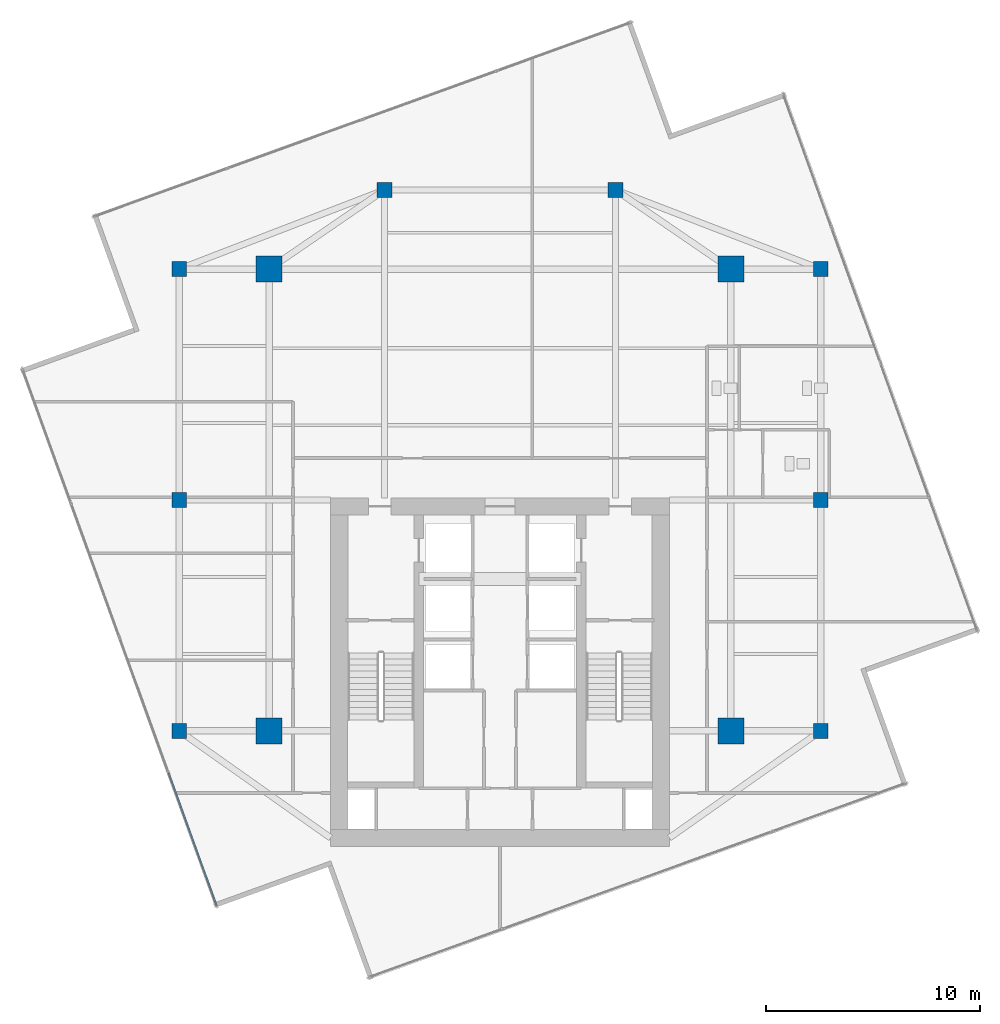
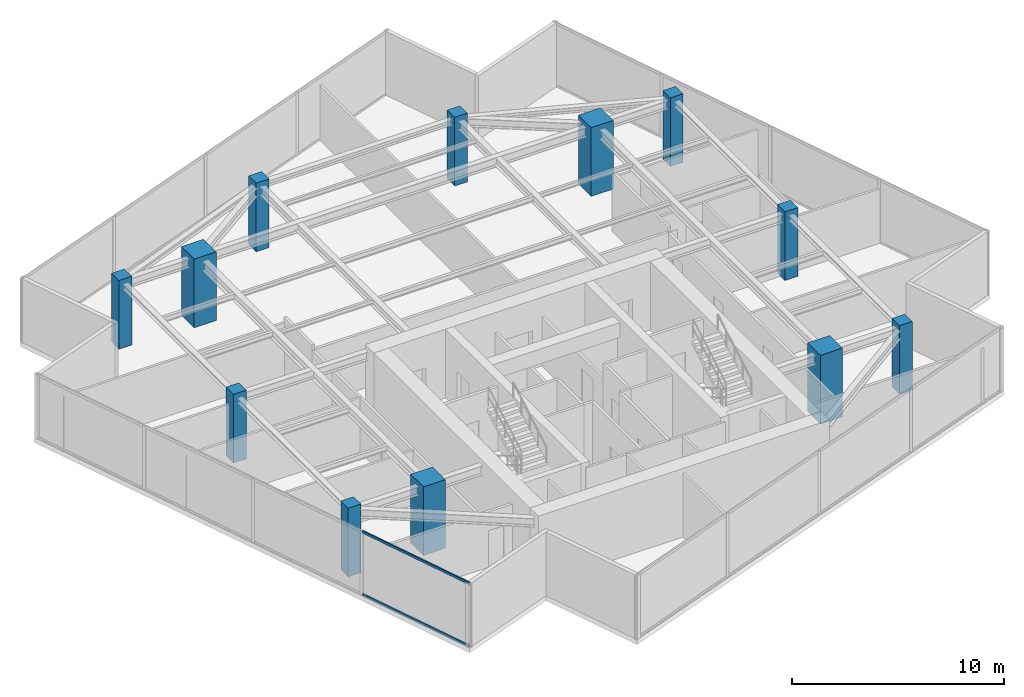
# One storey, part 1 of 21: 12 columns, 2 members, 1 element without a shape of its own.
"""IFC4 building model written with IfcOpenShell, lengths in metres."""

from ifc_helpers import new_model, si_unit, direction, frame, origin, origin_2d, place, context, subcontext, project, spatial, rectangle, hollow_rectangle, extrude, source, transform, mapped, material, material_profile, profile_set, type_object, type_shapes, element, aggregate, save


model = new_model("IFC4")

# Units and contexts
model_context = context("Model", 3, precision=1e-05, world=origin(), true_north=direction((0.0, 1.0)))
body_context = subcontext(model_context, "Body", "Model", "MODEL_VIEW")
ifc_project = project(units=[si_unit("LENGTHUNIT", "METRE"), si_unit("AREAUNIT", "SQUARE_METRE"), si_unit("VOLUMEUNIT", "CUBIC_METRE"), si_unit("PLANEANGLEUNIT", "RADIAN"), si_unit("MASSUNIT", "GRAM", prefix="KILO")], contexts=[model_context])

# Site, building, storey
site_placement = place(None, origin())
site = spatial("IfcSite", under=ifc_project, at=site_placement, CompositionType="ELEMENT")
building_placement = place(site_placement, origin())
building = spatial("IfcBuilding", under=site, at=building_placement, Name="Krantzveldt Concourse Tower", CompositionType="ELEMENT")
storey_placement = place(building_placement, frame((0.0, 0.0, 335.60009765625)))
storey = spatial("IfcBuildingStorey", under=building, at=storey_placement, Name="L82", CompositionType="ELEMENT", Elevation=335.60009765625)

# Columns
ifc_material_1 = material(Name="Concrete C50/60", Category="concrete")
ifc_material_profile_1 = material_profile(ifc_material_1, rectangle(XDim=1.199951171875, YDim=1.199951171875, at=origin_2d()), Name="Concrete C50/60", Category="concrete")
ifc_profile_set_1 = profile_set([ifc_material_profile_1], Name="Concrete C50/60 - RC 1200x1200")
column_type_1 = type_object("IfcColumnType", Name="COL-MC-1200", PredefinedType="USERDEFINED", material=ifc_profile_set_1)
shared_shape_1 = source(origin(), body_context, "Body", "SweptSolid", [
    extrude(rectangle(XDim=1.199951171875, YDim=1.199951171875, at=origin_2d()), origin(), (0.0, 0.0, 1.0), 3.949951171875),
])
type_shapes(column_type_1, [shared_shape_1])
for number, where, z_axis, x_axis, name in (
    (1, (25.199951171875, 15.89990234375, 0.0), (0.0, 0.0, 1.0), (1.0, 0.0, 0.0), "MC-SW-L82"),
    (2, (46.800048828125, 15.89990234375, 0.0), (0.0, 0.0, 1.0), (1.0, 0.0, 0.0), "MC-SE-L82"),
    (3, (46.800048828125, 37.5, 0.0), (0.0, 0.0, 1.0), (1.0, 0.0, 0.0), "MC-NE-L82"),
    (4, (25.199951171875, 37.5, 0.0), (0.0, 0.0, 1.0), (1.0, 0.0, 0.0), "MC-NW-L82"),
):
    element("IfcColumn", number, at=place(storey_placement, frame(where, z_axis=z_axis, x_axis=x_axis)), inside=storey, type_object=column_type_1, Name=name, ObjectType="MEGA COLUMN", PredefinedType="USERDEFINED", context=body_context, shape_type="MappedRepresentation", body=[
        mapped(shared_shape_1, transform((0.0, 0.0, 0.0), x_axis=(1.0, 0.0, 0.0), y_axis=(0.0, 1.0, 0.0), z_axis=(0.0, 0.0, 1.0), scale=1.0)),
    ])
ifc_material_profile_2 = material_profile(ifc_material_1, rectangle(XDim=0.699951171875, YDim=0.699951171875, at=origin_2d()), Name="Concrete C50/60", Category="concrete")
ifc_profile_set_2 = profile_set([ifc_material_profile_2], Name="Concrete C50/60 - RC 700x700")
column_type_2 = type_object("IfcColumnType", Name="COL-C-Z6", PredefinedType="COLUMN", material=ifc_profile_set_2)
shared_shape_2 = source(origin(), body_context, "Body", "SweptSolid", [
    extrude(rectangle(XDim=0.699951171875, YDim=0.699951171875, at=origin_2d()), origin(), (0.0, 0.0, 1.0), 3.949951171875),
])
type_shapes(column_type_2, [shared_shape_2])
for number, where, z_axis, x_axis, name in (
    (5, (21.0, 15.89990234375, 0.0), (0.0, 0.0, 1.0), (1.0, 0.0, 0.0), "PC-R01-L82"),
    (6, (21.0, 26.699951171875, 0.0), (0.0, 0.0, 1.0), (1.0, 0.0, 0.0), "PC-R02-L82"),
    (7, (21.0, 37.5, 0.0), (0.0, 0.0, 1.0), (1.0, 0.0, 0.0), "PC-R03-L82"),
    (8, (30.60009765625, 41.199951171875, 0.0), (0.0, 0.0, 1.0), (1.0, 0.0, 0.0), "PC-R04-L82"),
    (9, (41.39990234375, 41.199951171875, 0.0), (0.0, 0.0, 1.0), (1.0, 0.0, 0.0), "PC-R05-L82"),
    (10, (51.0, 37.5, 0.0), (0.0, 0.0, 1.0), (1.0, 0.0, 0.0), "PC-R06-L82"),
    (11, (51.0, 26.699951171875, 0.0), (0.0, 0.0, 1.0), (1.0, 0.0, 0.0), "PC-R07-L82"),
    (12, (51.0, 15.89990234375, 0.0), (0.0, 0.0, 1.0), (1.0, 0.0, 0.0), "PC-R08-L82"),
):
    element("IfcColumn", number, at=place(storey_placement, frame(where, z_axis=z_axis, x_axis=x_axis)), inside=storey, type_object=column_type_2, Name=name, PredefinedType="COLUMN", context=body_context, shape_type="MappedRepresentation", body=[
        mapped(shared_shape_2, transform((0.0, 0.0, 0.0), x_axis=(1.0, 0.0, 0.0), y_axis=(0.0, 1.0, 0.0), z_axis=(0.0, 0.0, 1.0), scale=1.0)),
    ])

# Curtain wall, members
ifc_material_2 = material(Name="Anodised aluminium 6063-T6", Category="aluminium")
curtain_wall_type = type_object("IfcCurtainWallType", Name="CW4", PredefinedType="USERDEFINED", material=ifc_material_2)
curtain_wall_placement = place(storey_placement, origin())
curtain_wall = element("IfcCurtainWall", 13, at=curtain_wall_placement, inside=storey, type_object=curtain_wall_type, Name="CW-L82-F04", ObjectType="UNITISED CURTAIN WALL", PredefinedType="USERDEFINED")
ifc_material_profile_3 = material_profile(ifc_material_2, hollow_rectangle(XDim=0.070068359375, YDim=0.139892578125, WallThickness=0.0048828125, at=origin_2d()), Name="Anodised aluminium 6063-T6", Category="aluminium")
ifc_profile_set_3 = profile_set([ifc_material_profile_3], Name="Anodised aluminium 6063-T6 - ALU-TRAN 140x70x5")
member_type = type_object("IfcMemberType", Name="CW-TRN-150", PredefinedType="USERDEFINED", material=ifc_profile_set_3)
shared_shape_3 = source(origin(), body_context, "Body", "SweptSolid", [
    extrude(hollow_rectangle(XDim=0.070068359375, YDim=0.139892578125, WallThickness=0.0048828125, at=origin_2d()), origin(), (0.0, 0.0, 1.0), 6.594970703125),
])
type_shapes(member_type, [shared_shape_3])
member_1_placement = place(storey_placement, frame((20.506103515625, 13.937255859375, 0.034912109375), z_axis=(0.339950103124, -0.940443473785, 0.0), x_axis=(0.940443473785, 0.339950103124, 0.0)))
member_1 = element("IfcMember", 14, at=member_1_placement, type_object=member_type, Name="CW-Z56 transom 4.1", ObjectType="TRANSOM", PredefinedType="USERDEFINED", context=body_context, shape_type="MappedRepresentation", body=[
    mapped(shared_shape_3, transform((0.0, 0.0, 0.0), x_axis=(1.0, 0.0, 0.0), y_axis=(0.0, 1.0, 0.0), z_axis=(0.0, 0.0, 1.0), scale=1.0)),
])
member_2_placement = place(storey_placement, frame((20.506103515625, 13.937255859375, 3.635009765625), z_axis=(0.339950103124, -0.940443473785, 0.0), x_axis=(0.940443473785, 0.339950103124, 0.0)))
member_2 = element("IfcMember", 15, at=member_2_placement, type_object=member_type, Name="CW-Z56 transom 4.2", ObjectType="TRANSOM", PredefinedType="USERDEFINED", context=body_context, shape_type="MappedRepresentation", body=[
    mapped(shared_shape_3, transform((0.0, 0.0, 0.0), x_axis=(1.0, 0.0, 0.0), y_axis=(0.0, 1.0, 0.0), z_axis=(0.0, 0.0, 1.0), scale=1.0)),
])
aggregate(curtain_wall, [member_1, member_2])

save(model, "model.ifc")
